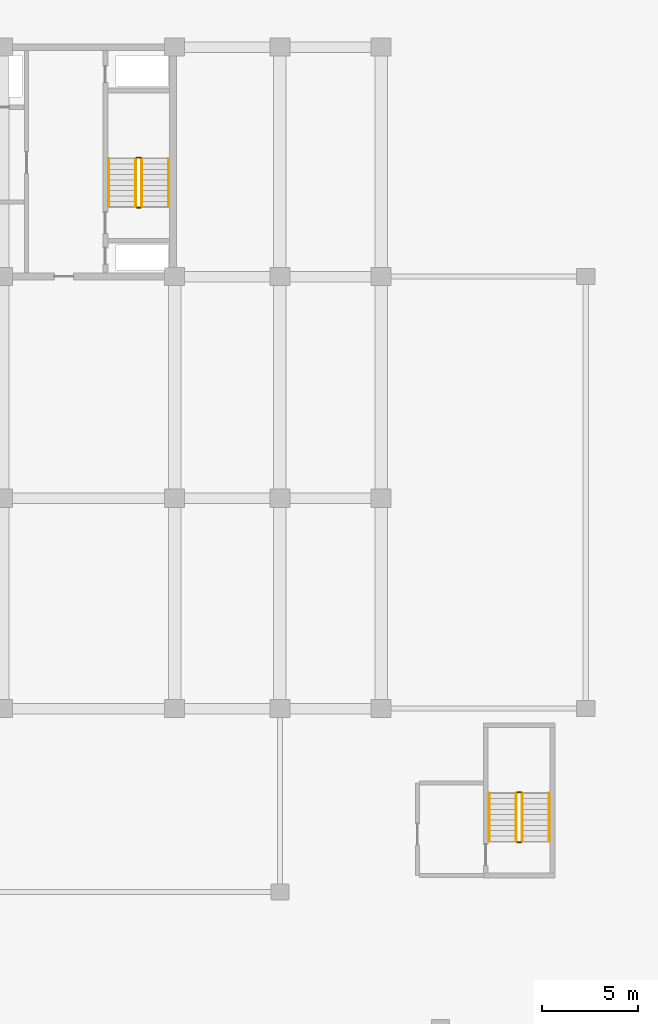
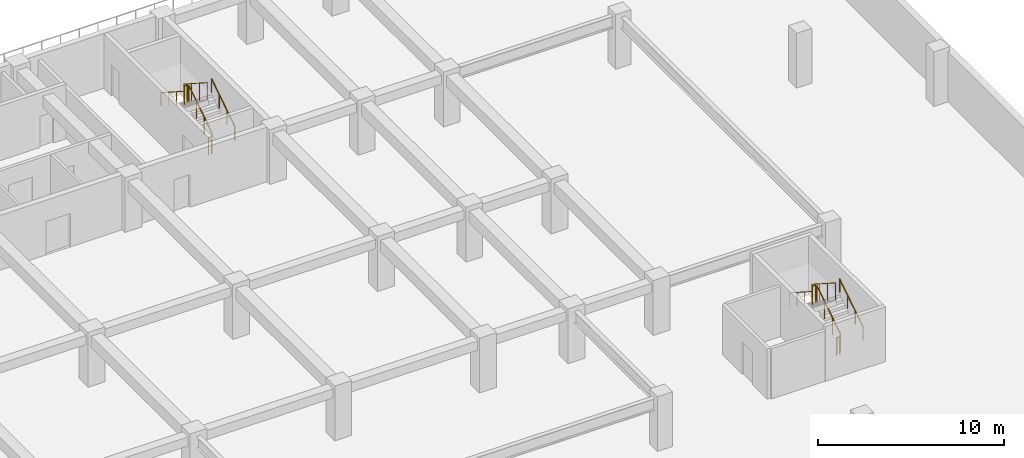
# One storey, part 17 of 23: 12 railings.
"""IFC4 building model written with IfcOpenShell, lengths in metres."""

from ifc_helpers import new_model, si_unit, direction, frame, origin, origin_2d, place, context, subcontext, project, spatial, circle, extrude, material, type_object, element, save


model = new_model("IFC4")

# Units and contexts
model_context = context("Model", 3, precision=1e-05, world=origin(), true_north=direction((0.0, 1.0)))
body_context = subcontext(model_context, "Body", "Model", "MODEL_VIEW")
ifc_project = project(units=[si_unit("LENGTHUNIT", "METRE"), si_unit("AREAUNIT", "SQUARE_METRE"), si_unit("VOLUMEUNIT", "CUBIC_METRE"), si_unit("PLANEANGLEUNIT", "RADIAN"), si_unit("MASSUNIT", "GRAM", prefix="KILO")], contexts=[model_context])

# Site, building, storey
site_placement = place(None, origin())
site = spatial("IfcSite", under=ifc_project, at=site_placement, CompositionType="ELEMENT")
building_placement = place(site_placement, origin())
building = spatial("IfcBuilding", under=site, at=building_placement, Name="Korimba Cascade Residences", CompositionType="ELEMENT")
storey_placement = place(building_placement, frame((0.0, 0.0, -3.60009765625)))
storey = spatial("IfcBuildingStorey", under=building, at=storey_placement, Name="B01", CompositionType="ELEMENT", Elevation=-3.60009765625)

# Railings
ifc_material_1 = material(Name="Painted Steel Stairwell Guardrail", Category="steel")
railing_type_1 = type_object("IfcRailingType", Name="RLG-ST-GD1150", PredefinedType="GUARDRAIL", material=ifc_material_1)
railing_1_placement = place(storey_placement, frame((116.3701171875, 22.050048828125, 0.18017578125)))
element("IfcRailing", 1, at=railing_1_placement, inside=storey, type_object=railing_type_1, Name="B01 ST-E2 stair guard 1", PredefinedType="GUARDRAIL", context=body_context, shape_type="SweptSolid", body=[
    extrude(circle(Radius=0.02392578125, at=origin_2d()), frame((0.0, 0.0, 1.1259765625), z_axis=(0.0, 0.841199657755, 0.540724639528), x_axis=(-1.0, 0.0, 0.0)), (0.0, 0.0, 1.0), 2.995849609375),
    extrude(circle(Radius=0.02099609375, at=origin_2d()), origin(), (0.0, 0.0, 1.0), 1.101806640625),
    extrude(circle(Radius=0.02099609375, at=origin_2d()), frame((0.0, 0.840087890625, 0.5400390625)), (0.0, 0.0, 1.0), 1.101806640625),
    extrude(circle(Radius=0.02099609375, at=origin_2d()), frame((0.0, 1.679931640625, 1.079833984375)), (0.0, 0.0, 1.0), 1.101806640625),
    extrude(circle(Radius=0.02099609375, at=origin_2d()), frame((0.0, 2.52001953125, 1.619873046875)), (0.0, 0.0, 1.0), 1.101806640625),
])
railing_2_placement = place(storey_placement, frame((116.320068359375, 24.6201171875, 1.800048828125)))
element("IfcRailing", 2, at=railing_2_placement, inside=storey, type_object=railing_type_1, Name="B01 ST-E2 stair guard 2", PredefinedType="GUARDRAIL", context=body_context, shape_type="SweptSolid", body=[
    extrude(circle(Radius=0.02392578125, at=origin_2d()), frame((0.0, 0.0, 1.1259765625), z_axis=(-1.0, 0.0, 0.0), x_axis=(0.0, -1.0, 0.0)), (0.0, 0.0, 1.0), 0.199951171875),
    extrude(circle(Radius=0.02099609375, at=origin_2d()), origin(), (0.0, 0.0, 1.0), 1.101806640625),
    extrude(circle(Radius=0.02099609375, at=origin_2d()), frame((-0.199951171875, 0.0, 0.0)), (0.0, 0.0, 1.0), 1.101806640625),
])
railing_3_placement = place(storey_placement, frame((116.070068359375, 24.570068359375, 1.97998046875)))
element("IfcRailing", 3, at=railing_3_placement, inside=storey, type_object=railing_type_1, Name="B01 ST-E2 stair guard 3", PredefinedType="GUARDRAIL", context=body_context, shape_type="SweptSolid", body=[
    extrude(circle(Radius=0.02392578125, at=origin_2d()), frame((0.0, 0.0, 1.1259765625), z_axis=(0.0, -0.841162588446, 0.540782303519), x_axis=(1.0, 0.0, 0.0)), (0.0, 0.0, 1.0), 2.995849609375),
    extrude(circle(Radius=0.02099609375, at=origin_2d()), origin(), (0.0, 0.0, 1.0), 1.101806640625),
    extrude(circle(Radius=0.02099609375, at=origin_2d()), frame((0.0, -0.840087890625, 0.5400390625)), (0.0, 0.0, 1.0), 1.101806640625),
    extrude(circle(Radius=0.02099609375, at=origin_2d()), frame((0.0, -1.679931640625, 1.080078125)), (0.0, 0.0, 1.0), 1.101806640625),
    extrude(circle(Radius=0.02099609375, at=origin_2d()), frame((0.0, -2.52001953125, 1.6201171875)), (0.0, 0.0, 1.0), 1.101806640625),
])
railing_4_placement = place(storey_placement, frame((116.320068359375, 22.0, 0.0)))
element("IfcRailing", 4, at=railing_4_placement, inside=storey, type_object=railing_type_1, Name="B01 ST-E2 stair guard 4", PredefinedType="GUARDRAIL", context=body_context, shape_type="SweptSolid", body=[
    extrude(circle(Radius=0.02392578125, at=origin_2d()), frame((0.0, 0.0, 1.1259765625), z_axis=(-1.0, 0.0, 0.0), x_axis=(0.0, -1.0, 0.0)), (0.0, 0.0, 1.0), 0.199951171875),
    extrude(circle(Radius=0.02099609375, at=origin_2d()), origin(), (0.0, 0.0, 1.0), 1.101806640625),
    extrude(circle(Radius=0.02099609375, at=origin_2d()), frame((-0.199951171875, 0.0, 0.0)), (0.0, 0.0, 1.0), 1.101806640625),
])
railing_5_placement = place(storey_placement, frame((136.27001953125, -11.14990234375, 0.18017578125)))
element("IfcRailing", 5, at=railing_5_placement, inside=storey, type_object=railing_type_1, Name="B01 ST-P6 stair guard 1", PredefinedType="GUARDRAIL", context=body_context, shape_type="SweptSolid", body=[
    extrude(circle(Radius=0.02392578125, at=origin_2d()), frame((0.0, 0.0, 1.1259765625), z_axis=(0.0, 0.841199657755, 0.540724639528), x_axis=(-1.0, 0.0, 0.0)), (0.0, 0.0, 1.0), 2.995849609375),
    extrude(circle(Radius=0.02099609375, at=origin_2d()), origin(), (0.0, 0.0, 1.0), 1.101806640625),
    extrude(circle(Radius=0.02099609375, at=origin_2d()), frame((0.0, 0.840087890625, 0.5400390625)), (0.0, 0.0, 1.0), 1.101806640625),
    extrude(circle(Radius=0.02099609375, at=origin_2d()), frame((0.0, 1.679931640625, 1.079833984375)), (0.0, 0.0, 1.0), 1.101806640625),
    extrude(circle(Radius=0.02099609375, at=origin_2d()), frame((0.0, 2.52001953125, 1.619873046875)), (0.0, 0.0, 1.0), 1.101806640625),
])
railing_6_placement = place(storey_placement, frame((136.219970703125, -8.580078125, 1.800048828125)))
element("IfcRailing", 6, at=railing_6_placement, inside=storey, type_object=railing_type_1, Name="B01 ST-P6 stair guard 2", PredefinedType="GUARDRAIL", context=body_context, shape_type="SweptSolid", body=[
    extrude(circle(Radius=0.02392578125, at=origin_2d()), frame((0.0, 0.0, 1.1259765625), z_axis=(-1.0, 0.0, 0.0), x_axis=(0.0, -1.0, 0.0)), (0.0, 0.0, 1.0), 0.199951171875),
    extrude(circle(Radius=0.02099609375, at=origin_2d()), origin(), (0.0, 0.0, 1.0), 1.101806640625),
    extrude(circle(Radius=0.02099609375, at=origin_2d()), frame((-0.199951171875, 0.0, 0.0)), (0.0, 0.0, 1.0), 1.101806640625),
])
railing_7_placement = place(storey_placement, frame((135.969970703125, -8.6298828125, 1.97998046875)))
element("IfcRailing", 7, at=railing_7_placement, inside=storey, type_object=railing_type_1, Name="B01 ST-P6 stair guard 3", PredefinedType="GUARDRAIL", context=body_context, shape_type="SweptSolid", body=[
    extrude(circle(Radius=0.02392578125, at=origin_2d()), frame((0.0, 0.0, 1.1259765625), z_axis=(0.0, -0.841162588446, 0.540782303519), x_axis=(1.0, 0.0, 0.0)), (0.0, 0.0, 1.0), 2.995849609375),
    extrude(circle(Radius=0.02099609375, at=origin_2d()), origin(), (0.0, 0.0, 1.0), 1.101806640625),
    extrude(circle(Radius=0.02099609375, at=origin_2d()), frame((0.0, -0.840087890625, 0.5400390625)), (0.0, 0.0, 1.0), 1.101806640625),
    extrude(circle(Radius=0.02099609375, at=origin_2d()), frame((0.0, -1.679931640625, 1.080078125)), (0.0, 0.0, 1.0), 1.101806640625),
    extrude(circle(Radius=0.02099609375, at=origin_2d()), frame((0.0, -2.52001953125, 1.6201171875)), (0.0, 0.0, 1.0), 1.101806640625),
])
railing_8_placement = place(storey_placement, frame((136.219970703125, -11.199951171875, 0.0)))
element("IfcRailing", 8, at=railing_8_placement, inside=storey, type_object=railing_type_1, Name="B01 ST-P6 stair guard 4", PredefinedType="GUARDRAIL", context=body_context, shape_type="SweptSolid", body=[
    extrude(circle(Radius=0.02392578125, at=origin_2d()), frame((0.0, 0.0, 1.1259765625), z_axis=(-1.0, 0.0, 0.0), x_axis=(0.0, -1.0, 0.0)), (0.0, 0.0, 1.0), 0.199951171875),
    extrude(circle(Radius=0.02099609375, at=origin_2d()), origin(), (0.0, 0.0, 1.0), 1.101806640625),
    extrude(circle(Radius=0.02099609375, at=origin_2d()), frame((-0.199951171875, 0.0, 0.0)), (0.0, 0.0, 1.0), 1.101806640625),
])
ifc_material_2 = material(Name="Brushed Stainless Steel Handrail", Category="steel")
railing_type_2 = type_object("IfcRailingType", Name="RLG-ST-HR900", PredefinedType="HANDRAIL", material=ifc_material_2)
railing_9_placement = place(storey_placement, frame((117.7900390625, 22.050048828125, 0.364013671875)))
element("IfcRailing", 9, at=railing_9_placement, inside=storey, type_object=railing_type_2, Name="B01 ST-E2 stair handrail 1", PredefinedType="HANDRAIL", context=body_context, shape_type="SweptSolid", body=[
    extrude(circle(Radius=0.02392578125, at=origin_2d()), frame((0.0, 0.0, 0.8759765625), z_axis=(0.0, 0.841199657755, 0.540724639528), x_axis=(-1.0, 0.0, 0.0)), (0.0, 0.0, 1.0), 2.995849609375),
    extrude(circle(Radius=0.02099609375, at=origin_2d()), origin(), (0.0, 0.0, 1.0), 0.851806640625),
    extrude(circle(Radius=0.02099609375, at=origin_2d()), frame((0.0, 0.840087890625, 0.5400390625)), (0.0, 0.0, 1.0), 0.851806640625),
    extrude(circle(Radius=0.02099609375, at=origin_2d()), frame((0.0, 1.679931640625, 1.079833984375)), (0.0, 0.0, 1.0), 0.851806640625),
    extrude(circle(Radius=0.02099609375, at=origin_2d()), frame((0.0, 2.52001953125, 1.619873046875)), (0.0, 0.0, 1.0), 0.851806640625),
])
railing_10_placement = place(storey_placement, frame((114.64990234375, 24.570068359375, 2.163818359375)))
element("IfcRailing", 10, at=railing_10_placement, inside=storey, type_object=railing_type_2, Name="B01 ST-E2 stair handrail 2", PredefinedType="HANDRAIL", context=body_context, shape_type="SweptSolid", body=[
    extrude(circle(Radius=0.02392578125, at=origin_2d()), frame((0.0, 0.0, 0.8759765625), z_axis=(0.0, -0.841162588446, 0.540782303519), x_axis=(1.0, 0.0, 0.0)), (0.0, 0.0, 1.0), 2.995849609375),
    extrude(circle(Radius=0.02099609375, at=origin_2d()), origin(), (0.0, 0.0, 1.0), 0.851806640625),
    extrude(circle(Radius=0.02099609375, at=origin_2d()), frame((0.0, -0.840087890625, 0.5400390625)), (0.0, 0.0, 1.0), 0.851806640625),
    extrude(circle(Radius=0.02099609375, at=origin_2d()), frame((0.0, -1.679931640625, 1.080078125)), (0.0, 0.0, 1.0), 0.851806640625),
    extrude(circle(Radius=0.02099609375, at=origin_2d()), frame((0.0, -2.52001953125, 1.6201171875)), (0.0, 0.0, 1.0), 0.851806640625),
])
railing_11_placement = place(storey_placement, frame((137.68994140625, -11.14990234375, 0.364013671875)))
element("IfcRailing", 11, at=railing_11_placement, inside=storey, type_object=railing_type_2, Name="B01 ST-P6 stair handrail 1", PredefinedType="HANDRAIL", context=body_context, shape_type="SweptSolid", body=[
    extrude(circle(Radius=0.02392578125, at=origin_2d()), frame((0.0, 0.0, 0.8759765625), z_axis=(0.0, 0.841199657755, 0.540724639528), x_axis=(-1.0, 0.0, 0.0)), (0.0, 0.0, 1.0), 2.995849609375),
    extrude(circle(Radius=0.02099609375, at=origin_2d()), origin(), (0.0, 0.0, 1.0), 0.851806640625),
    extrude(circle(Radius=0.02099609375, at=origin_2d()), frame((0.0, 0.840087890625, 0.5400390625)), (0.0, 0.0, 1.0), 0.851806640625),
    extrude(circle(Radius=0.02099609375, at=origin_2d()), frame((0.0, 1.679931640625, 1.079833984375)), (0.0, 0.0, 1.0), 0.851806640625),
    extrude(circle(Radius=0.02099609375, at=origin_2d()), frame((0.0, 2.52001953125, 1.619873046875)), (0.0, 0.0, 1.0), 0.851806640625),
])
railing_12_placement = place(storey_placement, frame((134.550048828125, -8.6298828125, 2.163818359375)))
element("IfcRailing", 12, at=railing_12_placement, inside=storey, type_object=railing_type_2, Name="B01 ST-P6 stair handrail 2", PredefinedType="HANDRAIL", context=body_context, shape_type="SweptSolid", body=[
    extrude(circle(Radius=0.02392578125, at=origin_2d()), frame((0.0, 0.0, 0.8759765625), z_axis=(0.0, -0.841162588446, 0.540782303519), x_axis=(1.0, 0.0, 0.0)), (0.0, 0.0, 1.0), 2.995849609375),
    extrude(circle(Radius=0.02099609375, at=origin_2d()), origin(), (0.0, 0.0, 1.0), 0.851806640625),
    extrude(circle(Radius=0.02099609375, at=origin_2d()), frame((0.0, -0.840087890625, 0.5400390625)), (0.0, 0.0, 1.0), 0.851806640625),
    extrude(circle(Radius=0.02099609375, at=origin_2d()), frame((0.0, -1.679931640625, 1.080078125)), (0.0, 0.0, 1.0), 0.851806640625),
    extrude(circle(Radius=0.02099609375, at=origin_2d()), frame((0.0, -2.52001953125, 1.6201171875)), (0.0, 0.0, 1.0), 0.851806640625),
])

save(model, "model.ifc")
